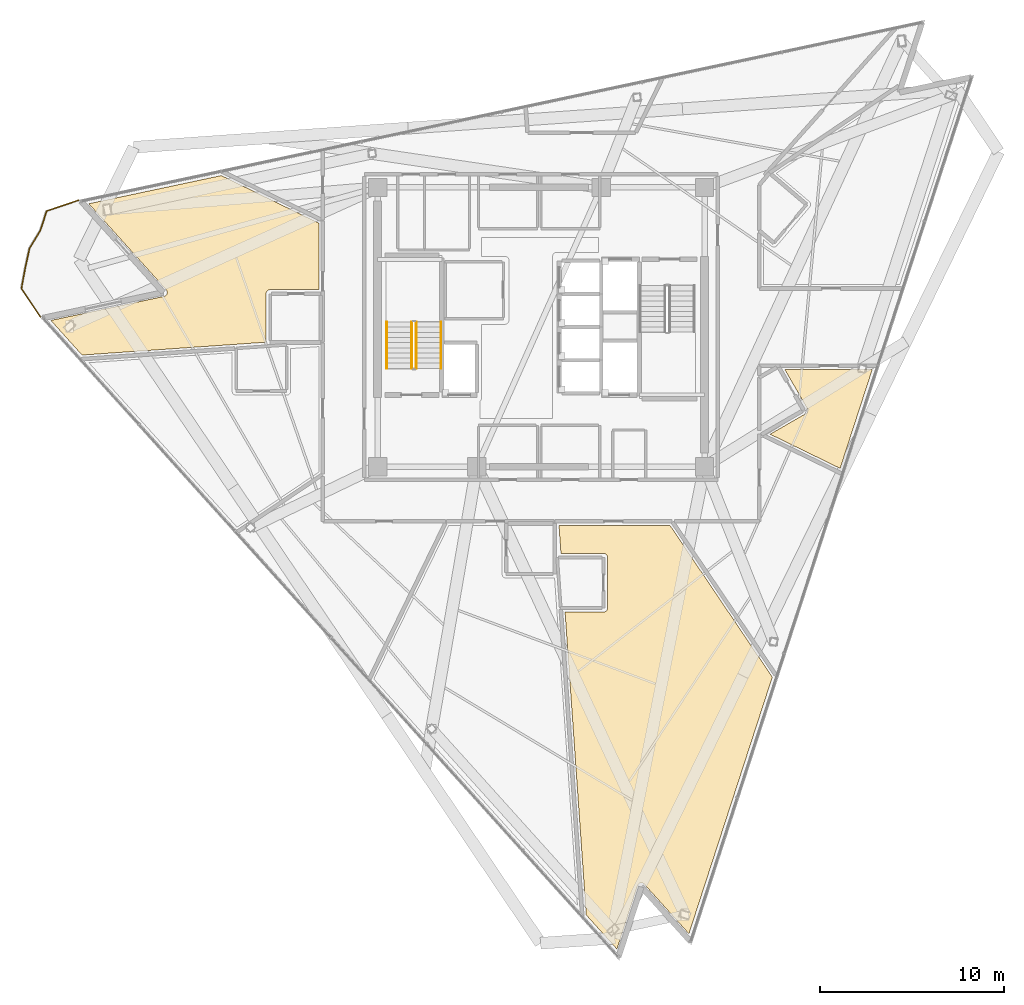
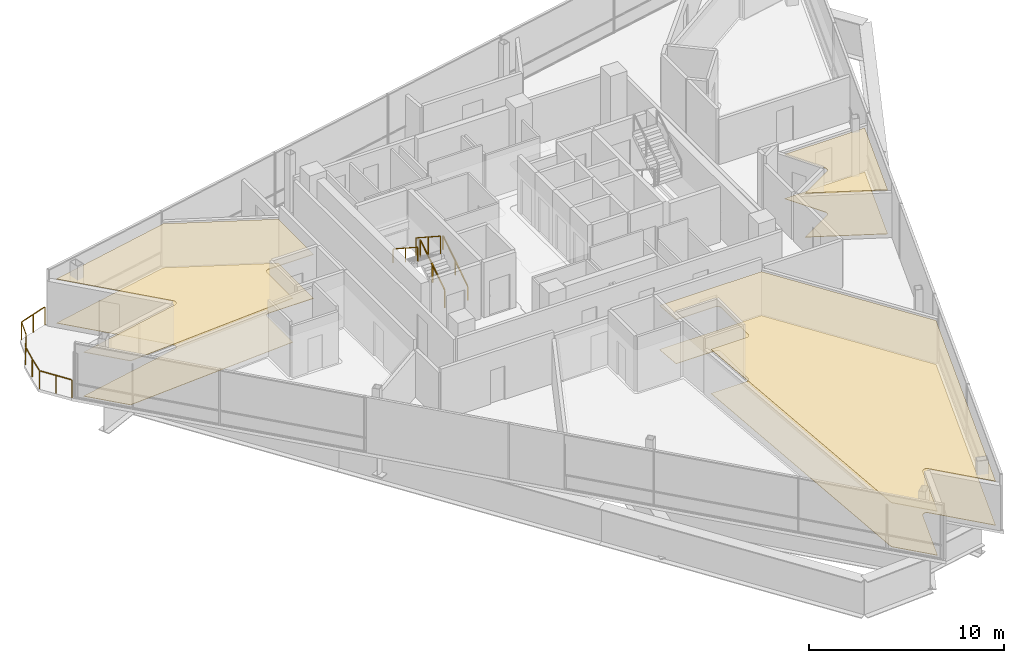
# One storey, part 16 of 18: 6 coverings, 5 railings.
"""IFC4 building model written with IfcOpenShell, lengths in metres."""

from ifc_helpers import new_model, si_unit, direction, frame, origin, origin_2d, place, context, subcontext, project, spatial, polyline, rectangle, outline, extrude, material, layer, layer_set, type_object, element, save


model = new_model("IFC4")

# Units and contexts
model_context = context("Model", 3, precision=1e-05, world=origin(), true_north=direction((0.0, 1.0)))
body_context = subcontext(model_context, "Body", "Model", "MODEL_VIEW")
ifc_project = project(units=[si_unit("LENGTHUNIT", "METRE"), si_unit("AREAUNIT", "SQUARE_METRE"), si_unit("VOLUMEUNIT", "CUBIC_METRE"), si_unit("PLANEANGLEUNIT", "RADIAN"), si_unit("MASSUNIT", "GRAM", prefix="KILO")], contexts=[model_context])

# Site, building, storey
site_placement = place(None, origin())
site = spatial("IfcSite", under=ifc_project, at=site_placement, CompositionType="ELEMENT")
building_placement = place(site_placement, origin())
building = spatial("IfcBuilding", under=site, at=building_placement, Name="Tharavind Bronze Gate", CompositionType="ELEMENT")
storey_placement = place(building_placement, frame((0.0, 0.0, 279.75)))
storey = spatial("IfcBuildingStorey", under=building, at=storey_placement, Name="L72", CompositionType="ELEMENT", Elevation=279.75)

# Coverings
ifc_material_1 = material(Name="Engineered Oak & Carpet Tile", Category="wood")
ifc_layer_1 = layer(ifc_material_1, 0.02490234375)
ifc_layer_set_1 = layer_set([ifc_layer_1], Name="Engineered Oak & Carpet Tile")
covering_type_1 = type_object("IfcCoveringType", Name="ENGINEERED TIMBER FLOORING", PredefinedType="FLOORING", material=ifc_layer_set_1)
covering_1_placement = place(storey_placement, origin())
element("IfcCovering", 1, at=covering_1_placement, inside=storey, type_object=covering_type_1, Name="L72-RM-05 floor finish", PredefinedType="FLOORING", context=body_context, shape_type="SweptSolid", body=[
    extrude(outline(polyline([(-24.988525390625, -1.52685546875), (-14.969970703125, -0.826416015625), (-14.969970703125, 1.810791015625), (-14.968994140625, 1.83251953125), (-14.9658203125, 1.853759765625), (-14.96044921875, 1.874755859375), (-14.953369140625, 1.89501953125), (-14.944091796875, 1.91455078125), (-14.932861328125, 1.93310546875), (-14.920166015625, 1.950439453125), (-14.905517578125, 1.96630859375), (-14.8896484375, 1.98095703125), (-14.872314453125, 1.993896484375), (-14.853759765625, 2.0048828125), (-14.834228515625, 2.01416015625), (-14.81396484375, 2.021484375), (-14.79296875, 2.026611328125), (-14.771484375, 2.02978515625), (-14.75, 2.031005859375), (-12.10009765625, 2.031005859375), (-12.10009765625, 5.65673828125), (-17.408203125, 8.24560546875), (-24.62255859375, 6.712158203125), (-20.408203125, 2.03173828125), (-20.401123046875, 2.023193359375), (-20.400634765625, 2.02294921875), (-20.3876953125, 2.005126953125), (-20.376708984375, 1.986328125), (-20.367431640625, 1.96630859375), (-20.360107421875, 1.94580078125), (-20.35498046875, 1.92431640625), (-20.35205078125, 1.902587890625), (-20.351318359375, 1.880615234375), (-20.352783203125, 1.85888671875), (-20.3564453125, 1.837158203125), (-20.362060546875, 1.81591796875), (-20.369873046875, 1.79541015625), (-20.379638671875, 1.77587890625), (-20.3916015625, 1.75732421875), (-20.405029296875, 1.739990234375), (-20.420166015625, 1.72412109375), (-20.436767578125, 1.7099609375), (-20.454833984375, 1.697509765625), (-20.473876953125, 1.686767578125), (-20.494140625, 1.677978515625), (-20.514892578125, 1.67138671875), (-20.515380859375, 1.671142578125), (-20.526123046875, 1.668701171875), (-26.686767578125, 0.359130859375), (-24.988525390625, -1.52685546875)])), origin(), (0.0, 0.0, 1.0), 0.02490234375),
])
covering_2_placement = place(storey_placement, origin())
element("IfcCovering", 2, at=covering_2_placement, inside=storey, type_object=covering_type_1, Name="L72-RM-09 floor finish", PredefinedType="FLOORING", context=body_context, shape_type="SweptSolid", body=[
    extrude(outline(polyline([(1.082763671875, -12.330078125), (3.398193359375, -12.330078125), (3.419921875, -12.3310546875), (3.441162109375, -12.334228515625), (3.462158203125, -12.339599609375), (3.482421875, -12.3466796875), (3.501953125, -12.35595703125), (3.5205078125, -12.3671875), (3.537841796875, -12.3798828125), (3.5537109375, -12.394287109375), (3.568359375, -12.410400390625), (3.5810546875, -12.427734375), (3.59228515625, -12.4462890625), (3.6015625, -12.4658203125), (3.608642578125, -12.486083984375), (3.614013671875, -12.507080078125), (3.6171875, -12.5283203125), (3.6181640625, -12.550048828125), (3.6181640625, -15.300048828125), (3.6171875, -15.321533203125), (3.614013671875, -15.343017578125), (3.608642578125, -15.364013671875), (3.6015625, -15.38427734375), (3.59228515625, -15.40380859375), (3.5810546875, -15.422119140625), (3.568359375, -15.439697265625), (3.5537109375, -15.45556640625), (3.537841796875, -15.47021484375), (3.5205078125, -15.48291015625), (3.501953125, -15.493896484375), (3.482421875, -15.50341796875), (3.462158203125, -15.510498046875), (3.441162109375, -15.515869140625), (3.419921875, -15.518798828125), (3.398193359375, -15.52001953125), (1.305908203125, -15.52001953125), (2.458984375, -32.010498046875), (4.12939453125, -33.865478515625), (5.25, -30.416748046875), (5.25341796875, -30.406494140625), (5.253662109375, -30.406005859375), (5.262451171875, -30.3857421875), (5.273193359375, -30.36669921875), (5.285888671875, -30.348876953125), (5.30029296875, -30.332275390625), (5.316162109375, -30.317138671875), (5.33349609375, -30.3037109375), (5.352294921875, -30.2919921875), (5.371826171875, -30.282470703125), (5.392333984375, -30.274658203125), (5.41357421875, -30.26904296875), (5.435302734375, -30.265625), (5.45703125, -30.264404296875), (5.47900390625, -30.26513671875), (5.500732421875, -30.268310546875), (5.522216796875, -30.2734375), (5.542724609375, -30.28076171875), (5.5625, -30.2900390625), (5.581298828125, -30.30126953125), (5.59912109375, -30.314208984375), (5.615234375, -30.3291015625), (5.61572265625, -30.32958984375), (5.623291015625, -30.33740234375), (8.0498046875, -33.0322265625), (12.590087890625, -19.058837890625), (7.019287109375, -10.800048828125), (0.9755859375, -10.800048828125), (1.082763671875, -12.330078125)])), origin(), (0.0, 0.0, 1.0), 0.02490234375),
])
covering_3_placement = place(storey_placement, origin())
element("IfcCovering", 3, at=covering_3_placement, inside=storey, type_object=covering_type_1, Name="L72-RM-11 floor finish", PredefinedType="FLOORING", context=body_context, shape_type="SweptSolid", body=[
    extrude(outline(polyline([(14.485595703125, -4.417724609375), (14.495361328125, -4.43701171875), (14.50341796875, -4.45703125), (14.50927734375, -4.477783203125), (14.51318359375, -4.4990234375), (14.514892578125, -4.5205078125), (14.514404296875, -4.542236328125), (14.511962890625, -4.563720703125), (14.507568359375, -4.584716796875), (14.5009765625, -4.605224609375), (14.4921875, -4.625), (14.481689453125, -4.64404296875), (14.469482421875, -4.661865234375), (14.45556640625, -4.67822265625), (14.43994140625, -4.693115234375), (14.423095703125, -4.706787109375), (14.405029296875, -4.71826171875), (12.46826171875, -5.83642578125), (16.281982421875, -7.6962890625), (18.02880859375, -2.320068359375), (13.2744140625, -2.320068359375), (14.485595703125, -4.417724609375)])), origin(), (0.0, 0.0, 1.0), 0.02490234375),
])
ifc_material_2 = material(Name="Acoustic Gypsum Board", Category="gypsum")
ifc_layer_2 = layer(ifc_material_2, 0.030029296875)
ifc_layer_set_2 = layer_set([ifc_layer_2], Name="Acoustic Gypsum Board")
covering_type_2 = type_object("IfcCoveringType", Name="GYPSUM SUSPENDED CEILING", PredefinedType="CEILING", material=ifc_layer_set_2)
covering_4_placement = place(storey_placement, frame((0.0, 0.0, 2.75)))
element("IfcCovering", 4, at=covering_4_placement, inside=storey, type_object=covering_type_2, Name="L72-RM-05 suspended ceiling", PredefinedType="CEILING", context=body_context, shape_type="SweptSolid", body=[
    extrude(outline(polyline([(-24.988525390625, -1.52685546875), (-14.969970703125, -0.826416015625), (-14.969970703125, 1.810791015625), (-14.968994140625, 1.83251953125), (-14.9658203125, 1.853759765625), (-14.96044921875, 1.874755859375), (-14.953369140625, 1.89501953125), (-14.944091796875, 1.91455078125), (-14.932861328125, 1.93310546875), (-14.920166015625, 1.950439453125), (-14.905517578125, 1.96630859375), (-14.8896484375, 1.98095703125), (-14.872314453125, 1.993896484375), (-14.853759765625, 2.0048828125), (-14.834228515625, 2.01416015625), (-14.81396484375, 2.021484375), (-14.79296875, 2.026611328125), (-14.771484375, 2.02978515625), (-14.75, 2.031005859375), (-12.10009765625, 2.031005859375), (-12.10009765625, 5.65673828125), (-17.408203125, 8.24560546875), (-24.62255859375, 6.712158203125), (-20.408203125, 2.03173828125), (-20.401123046875, 2.023193359375), (-20.400634765625, 2.02294921875), (-20.3876953125, 2.005126953125), (-20.376708984375, 1.986328125), (-20.367431640625, 1.96630859375), (-20.360107421875, 1.94580078125), (-20.35498046875, 1.92431640625), (-20.35205078125, 1.902587890625), (-20.351318359375, 1.880615234375), (-20.352783203125, 1.85888671875), (-20.3564453125, 1.837158203125), (-20.362060546875, 1.81591796875), (-20.369873046875, 1.79541015625), (-20.379638671875, 1.77587890625), (-20.3916015625, 1.75732421875), (-20.405029296875, 1.739990234375), (-20.420166015625, 1.72412109375), (-20.436767578125, 1.7099609375), (-20.454833984375, 1.697509765625), (-20.473876953125, 1.686767578125), (-20.494140625, 1.677978515625), (-20.514892578125, 1.67138671875), (-20.515380859375, 1.671142578125), (-20.526123046875, 1.668701171875), (-26.686767578125, 0.359130859375), (-24.988525390625, -1.52685546875)])), origin(), (0.0, 0.0, 1.0), 0.034912109375),
])
covering_5_placement = place(storey_placement, frame((0.0, 0.0, 2.75)))
element("IfcCovering", 5, at=covering_5_placement, inside=storey, type_object=covering_type_2, Name="L72-RM-09 suspended ceiling", PredefinedType="CEILING", context=body_context, shape_type="SweptSolid", body=[
    extrude(outline(polyline([(1.082763671875, -12.330078125), (3.398193359375, -12.330078125), (3.419921875, -12.3310546875), (3.441162109375, -12.334228515625), (3.462158203125, -12.339599609375), (3.482421875, -12.3466796875), (3.501953125, -12.35595703125), (3.5205078125, -12.3671875), (3.537841796875, -12.3798828125), (3.5537109375, -12.394287109375), (3.568359375, -12.410400390625), (3.5810546875, -12.427734375), (3.59228515625, -12.4462890625), (3.6015625, -12.4658203125), (3.608642578125, -12.486083984375), (3.614013671875, -12.507080078125), (3.6171875, -12.5283203125), (3.6181640625, -12.550048828125), (3.6181640625, -15.300048828125), (3.6171875, -15.321533203125), (3.614013671875, -15.343017578125), (3.608642578125, -15.364013671875), (3.6015625, -15.38427734375), (3.59228515625, -15.40380859375), (3.5810546875, -15.422119140625), (3.568359375, -15.439697265625), (3.5537109375, -15.45556640625), (3.537841796875, -15.47021484375), (3.5205078125, -15.48291015625), (3.501953125, -15.493896484375), (3.482421875, -15.50341796875), (3.462158203125, -15.510498046875), (3.441162109375, -15.515869140625), (3.419921875, -15.518798828125), (3.398193359375, -15.52001953125), (1.305908203125, -15.52001953125), (2.458984375, -32.010498046875), (4.12939453125, -33.865478515625), (5.25, -30.416748046875), (5.25341796875, -30.406494140625), (5.253662109375, -30.406005859375), (5.262451171875, -30.3857421875), (5.273193359375, -30.36669921875), (5.285888671875, -30.348876953125), (5.30029296875, -30.332275390625), (5.316162109375, -30.317138671875), (5.33349609375, -30.3037109375), (5.352294921875, -30.2919921875), (5.371826171875, -30.282470703125), (5.392333984375, -30.274658203125), (5.41357421875, -30.26904296875), (5.435302734375, -30.265625), (5.45703125, -30.264404296875), (5.47900390625, -30.26513671875), (5.500732421875, -30.268310546875), (5.522216796875, -30.2734375), (5.542724609375, -30.28076171875), (5.5625, -30.2900390625), (5.581298828125, -30.30126953125), (5.59912109375, -30.314208984375), (5.615234375, -30.3291015625), (5.61572265625, -30.32958984375), (5.623291015625, -30.33740234375), (8.0498046875, -33.0322265625), (12.590087890625, -19.058837890625), (7.019287109375, -10.800048828125), (0.9755859375, -10.800048828125), (1.082763671875, -12.330078125)])), origin(), (0.0, 0.0, 1.0), 0.034912109375),
])
covering_6_placement = place(storey_placement, frame((0.0, 0.0, 2.75)))
element("IfcCovering", 6, at=covering_6_placement, inside=storey, type_object=covering_type_2, Name="L72-RM-11 suspended ceiling", PredefinedType="CEILING", context=body_context, shape_type="SweptSolid", body=[
    extrude(outline(polyline([(14.485595703125, -4.417724609375), (14.495361328125, -4.43701171875), (14.50341796875, -4.45703125), (14.50927734375, -4.477783203125), (14.51318359375, -4.4990234375), (14.514892578125, -4.5205078125), (14.514404296875, -4.542236328125), (14.511962890625, -4.563720703125), (14.507568359375, -4.584716796875), (14.5009765625, -4.605224609375), (14.4921875, -4.625), (14.481689453125, -4.64404296875), (14.469482421875, -4.661865234375), (14.45556640625, -4.67822265625), (14.43994140625, -4.693115234375), (14.423095703125, -4.706787109375), (14.405029296875, -4.71826171875), (12.46826171875, -5.83642578125), (16.281982421875, -7.6962890625), (18.02880859375, -2.320068359375), (13.2744140625, -2.320068359375), (14.485595703125, -4.417724609375)])), origin(), (0.0, 0.0, 1.0), 0.034912109375),
])

# Railings
ifc_material_3 = material(Name="Brushed Bronze Alloy", Category="metal")
railing_type_1 = type_object("IfcRailingType", Name="STAIR BRONZE HANDRAIL 900", PredefinedType="HANDRAIL", material=ifc_material_3)
railing_1_placement = place(storey_placement, frame((-5.449951171875, -2.25, 0.1826171875)))
element("IfcRailing", 7, at=railing_1_placement, inside=storey, type_object=railing_type_1, Name="L72 ST1 stair handrail 1", PredefinedType="HANDRAIL", context=body_context, shape_type="SweptSolid", body=[
    extrude(rectangle(XDim=0.048095703125, YDim=0.048095703125, at=origin_2d()), frame((0.0, 0.02685546875, 0.893310546875), z_axis=(0.0, 0.837786554691, 0.545997883492), x_axis=(-1.0, 0.0, 0.0)), (0.0, 0.0, 1.0), 2.94384765625),
    extrude(rectangle(XDim=0.0400390625, YDim=0.0400390625, at=origin_2d()), origin(), (0.0, 0.0, 1.0), 0.847900390625),
    extrude(rectangle(XDim=0.0400390625, YDim=0.0400390625, at=origin_2d()), frame((0.0, 1.260009765625, 0.8212890625)), (0.0, 0.0, 1.0), 0.847900390625),
    extrude(rectangle(XDim=0.0400390625, YDim=0.0400390625, at=origin_2d()), frame((0.0, 2.52001953125, 1.642333984375)), (0.0, 0.0, 1.0), 0.847900390625),
])
railing_2_placement = place(storey_placement, frame((-8.39990234375, 0.27001953125, 2.007568359375)))
element("IfcRailing", 8, at=railing_2_placement, inside=storey, type_object=railing_type_1, Name="L72 ST1 stair handrail 2", PredefinedType="HANDRAIL", context=body_context, shape_type="SweptSolid", body=[
    extrude(rectangle(XDim=0.048095703125, YDim=0.048095703125, at=origin_2d()), frame((0.0, -0.02685546875, 0.893310546875), z_axis=(0.0, -0.837786554691, 0.545997883492), x_axis=(1.0, 0.0, 0.0)), (0.0, 0.0, 1.0), 2.94384765625),
    extrude(rectangle(XDim=0.0400390625, YDim=0.0400390625, at=origin_2d()), origin(), (0.0, 0.0, 1.0), 0.847900390625),
    extrude(rectangle(XDim=0.0400390625, YDim=0.0400390625, at=origin_2d()), frame((0.0, -1.260009765625, 0.8212890625)), (0.0, 0.0, 1.0), 0.847900390625),
    extrude(rectangle(XDim=0.0400390625, YDim=0.0400390625, at=origin_2d()), frame((0.0, -2.52001953125, 1.642333984375)), (0.0, 0.0, 1.0), 0.847900390625),
])
railing_type_2 = type_object("IfcRailingType", Name="STAIR WELL GUARD RAILING 1120", PredefinedType="GUARDRAIL", material=ifc_material_3)
railing_3_placement = place(storey_placement, frame((-6.800048828125, -2.25, 0.1826171875)))
element("IfcRailing", 9, at=railing_3_placement, inside=storey, type_object=railing_type_2, Name="L72 ST1 stair guard 1", PredefinedType="GUARDRAIL", context=body_context, shape_type="SweptSolid", body=[
    extrude(rectangle(XDim=0.048095703125, YDim=0.048095703125, at=origin_2d()), frame((0.0, 0.02685546875, 1.113525390625), z_axis=(0.0, 0.837786554691, 0.545997883492), x_axis=(-1.0, 0.0, 0.0)), (0.0, 0.0, 1.0), 2.94384765625),
    extrude(rectangle(XDim=0.0400390625, YDim=0.0400390625, at=origin_2d()), origin(), (0.0, 0.0, 1.0), 1.068115234375),
    extrude(rectangle(XDim=0.0400390625, YDim=0.0400390625, at=origin_2d()), frame((0.0, 1.260009765625, 0.8212890625)), (0.0, 0.0, 1.0), 1.068115234375),
    extrude(rectangle(XDim=0.0400390625, YDim=0.0400390625, at=origin_2d()), frame((0.0, 2.52001953125, 1.642333984375)), (0.0, 0.0, 1.0), 1.068115234375),
])
railing_4_placement = place(storey_placement, frame((-7.050048828125, 0.27001953125, 2.007568359375)))
element("IfcRailing", 10, at=railing_4_placement, inside=storey, type_object=railing_type_2, Name="L72 ST1 stair guard 3", PredefinedType="GUARDRAIL", context=body_context, shape_type="SweptSolid", body=[
    extrude(rectangle(XDim=0.048095703125, YDim=0.048095703125, at=origin_2d()), frame((0.0, -0.02685546875, 1.113525390625), z_axis=(0.0, -0.837786554691, 0.545997883492), x_axis=(1.0, 0.0, 0.0)), (0.0, 0.0, 1.0), 2.94384765625),
    extrude(rectangle(XDim=0.0400390625, YDim=0.0400390625, at=origin_2d()), origin(), (0.0, 0.0, 1.0), 1.068115234375),
    extrude(rectangle(XDim=0.0400390625, YDim=0.0400390625, at=origin_2d()), frame((0.0, -1.260009765625, 0.8212890625)), (0.0, 0.0, 1.0), 1.068115234375),
    extrude(rectangle(XDim=0.0400390625, YDim=0.0400390625, at=origin_2d()), frame((0.0, -2.52001953125, 1.642333984375)), (0.0, 0.0, 1.0), 1.068115234375),
])
ifc_material_4 = material(Name="Bronze Cap & Laminated Glass", Category="glass")
railing_type_3 = type_object("IfcRailingType", Name="TERRACE GLASS GUARD RAILING 1150", PredefinedType="GUARDRAIL", material=ifc_material_4)
railing_5_placement = place(storey_placement, frame((-27.257568359375, 0.544677734375, 0.0)))
element("IfcRailing", 11, at=railing_5_placement, inside=storey, type_object=railing_type_3, Name="L72 tree balcony guard railing", PredefinedType="GUARDRAIL", context=body_context, shape_type="SweptSolid", body=[
    extrude(rectangle(XDim=0.048095703125, YDim=0.048095703125, at=origin_2d()), frame((-0.017822265625, 0.026611328125, 1.1259765625), z_axis=(-0.558006967266, 0.829836263658, 0.0), x_axis=(-0.829836263658, -0.558006967266, 0.0)), (0.0, 0.0, 1.0), 1.790771484375),
    extrude(rectangle(XDim=0.048095703125, YDim=0.048095703125, at=origin_2d()), frame((-1.029052734375, 1.570556640625, 1.1259765625), z_axis=(0.181084966823, 0.983467454871, 0.0), x_axis=(-0.983467454871, 0.181084966823, 0.0)), (0.0, 0.0, 1.0), 1.05908203125),
    extrude(rectangle(XDim=0.048095703125, YDim=0.048095703125, at=origin_2d()), frame((-0.82470703125, 2.6748046875, 1.1259765625), z_axis=(0.212076358892, 0.977253098229, 0.0), x_axis=(-0.977253098229, 0.212076358892, 0.0)), (0.0, 0.0, 1.0), 1.054931640625),
    extrude(rectangle(XDim=0.048095703125, YDim=0.048095703125, at=origin_2d()), frame((-0.57763671875, 3.764404296875, 1.1259765625), z_axis=(0.517193856548, 0.855868281191, 0.0), x_axis=(-0.855868281191, 0.517193856548, 0.0)), (0.0, 0.0, 1.0), 1.079345703125),
    extrude(rectangle(XDim=0.048095703125, YDim=0.048095703125, at=origin_2d()), frame((0.007080078125, 4.74609375, 1.1259765625), z_axis=(0.309180276792, 0.951003447125, 0.0), x_axis=(-0.951003447125, 0.309180276792, 0.0)), (0.0, 0.0, 1.0), 1.04931640625),
    extrude(rectangle(XDim=0.048095703125, YDim=0.048095703125, at=origin_2d()), frame((0.37158203125, 5.78466796875, 1.1259765625), z_axis=(0.947982555564, 0.31832228063, 0.0), x_axis=(-0.31832228063, 0.947982555564, 0.0)), (0.0, 0.0, 1.0), 1.753662109375),
    extrude(rectangle(XDim=0.0400390625, YDim=0.0400390625, at=origin_2d()), origin(), (0.0, 0.0, 1.0), 1.097900390625),
    extrude(rectangle(XDim=0.0400390625, YDim=0.0400390625, at=origin_2d()), frame((-0.517578125, 0.76953125, 0.0)), (0.0, 0.0, 1.0), 1.097900390625),
    extrude(rectangle(XDim=0.0400390625, YDim=0.0400390625, at=origin_2d()), frame((-1.034912109375, 1.5390625, 0.0)), (0.0, 0.0, 1.0), 1.097900390625),
    extrude(rectangle(XDim=0.0400390625, YDim=0.0400390625, at=origin_2d()), frame((-0.83154296875, 2.6435546875, 0.0)), (0.0, 0.0, 1.0), 1.097900390625),
    extrude(rectangle(XDim=0.0400390625, YDim=0.0400390625, at=origin_2d()), frame((-0.59423828125, 3.737060546875, 0.0)), (0.0, 0.0, 1.0), 1.097900390625),
    extrude(rectangle(XDim=0.0400390625, YDim=0.0400390625, at=origin_2d()), frame((-0.0029296875, 4.715576171875, 0.0)), (0.0, 0.0, 1.0), 1.097900390625),
    extrude(rectangle(XDim=0.0400390625, YDim=0.0400390625, at=origin_2d()), frame((0.34130859375, 5.7744140625, 0.0)), (0.0, 0.0, 1.0), 1.097900390625),
    extrude(rectangle(XDim=0.0400390625, YDim=0.0400390625, at=origin_2d()), frame((1.202880859375, 6.063720703125, 0.0)), (0.0, 0.0, 1.0), 1.097900390625),
    extrude(rectangle(XDim=0.0400390625, YDim=0.0400390625, at=origin_2d()), frame((2.064453125, 6.35302734375, 0.0)), (0.0, 0.0, 1.0), 1.097900390625),
])

save(model, "model.ifc")
